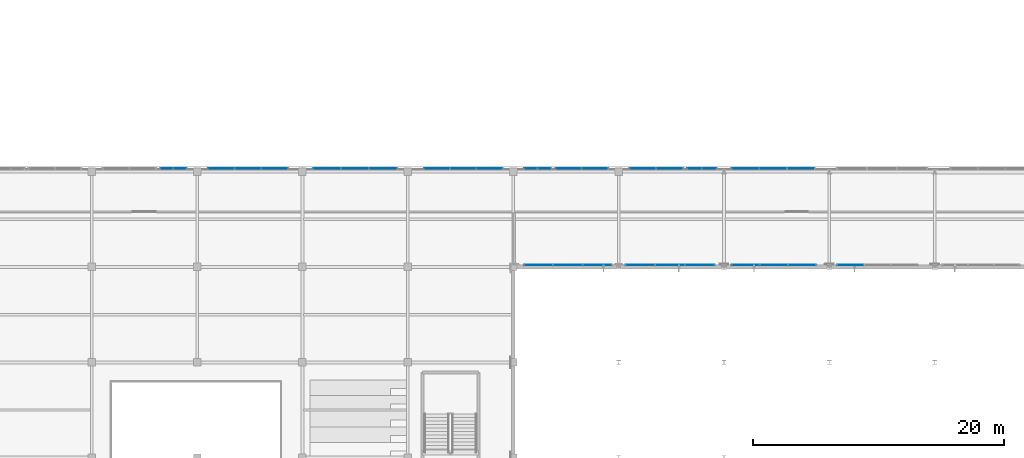
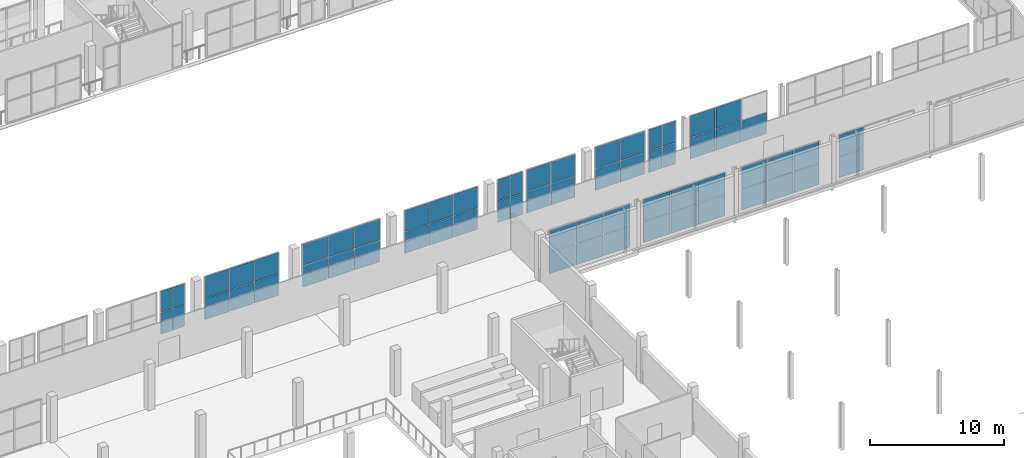
# One storey, part 167 of 217: 63 plates, 13 elements without a shape of their own.
"""IFC4 building model written with IfcOpenShell, lengths in metres."""

import ifcopenshell
import ifcopenshell.guid

model = None  # the IFC model being written
_history = None  # IfcOwnerHistory: only IFC2X3 demands one
_inside = {}  # id of a spatial element -> (the spatial element, [elements in it])
_under = {}  # id of a project, library or spatial element -> (it, [spatial elements below it])
_declared = {}  # id of a project -> (the project, [libraries it declares])
_typed = {}  # id of a type object -> (the type object, [elements of that type])
_made_of = {}  # id of a material, layer set ... -> (it, [elements and type objects made of it])


def new_model(schema):
    """Start an empty IFC model of exactly this schema.

    Asked for "IFC4X3", IfcOpenShell would pick the latest addendum, in which some entities
    have other attributes; the version numbers below select the first issue.
    IFC2X3 requires an IfcOwnerHistory on every rooted entity: one is made here for all.
    """
    global model, _history
    if schema == "IFC4X3":
        model = ifcopenshell.file(schema_version=(4, 3, 0, 0))
    else:
        model = ifcopenshell.file(schema=schema)
    _inside.clear()
    _under.clear()
    _declared.clear()
    _typed.clear()
    _made_of.clear()
    _history = None
    if model.schema == "IFC2X3":
        org = make("IfcOrganization", Name="unknown")
        user = make(
            "IfcPersonAndOrganization",
            ThePerson=make("IfcPerson", FamilyName="unknown"),
            TheOrganization=org,
        )
        app = make(
            "IfcApplication",
            ApplicationDeveloper=org,
            Version="unknown",
            ApplicationFullName="unknown",
            ApplicationIdentifier="unknown",
        )
        _history = make(
            "IfcOwnerHistory",
            OwningUser=user,
            OwningApplication=app,
            ChangeAction="ADDED",
            CreationDate=0,
        )
    return model


def make(cls, **values):
    """One entity of the class cls with the attributes given. An attribute that is None is left unset."""
    return model.create_entity(
        cls, **{name: value for name, value in values.items() if value is not None}
    )


def rooted(cls, **values):
    """An entity with a GlobalId (a new one), such as an element, a storey or a relation."""
    return make(cls, GlobalId=ifcopenshell.guid.new(), OwnerHistory=_history, **values)


def si_unit(unit_type, name, prefix=None):
    """IfcSIUnit, for example si_unit("LENGTHUNIT", "METRE", prefix="MILLI")."""
    return make("IfcSIUnit", UnitType=unit_type, Prefix=prefix, Name=name)


def assignment(units):
    """IfcUnitAssignment: the units of a project."""
    return None if units is None else make("IfcUnitAssignment", Units=units)


def point(xyz):
    """IfcCartesianPoint."""
    return None if xyz is None else make("IfcCartesianPoint", Coordinates=xyz)


def direction(xyz):
    """IfcDirection."""
    return None if xyz is None else make("IfcDirection", DirectionRatios=xyz)


def frame(location, z_axis=None, x_axis=None):
    """IfcAxis2Placement3D, a coordinate frame: its origin and axes. An axis left out is left unset."""
    return make(
        "IfcAxis2Placement3D",
        Location=point(location),
        Axis=direction(z_axis),
        RefDirection=direction(x_axis),
    )


def frame_2d(location, x_axis=None):
    """IfcAxis2Placement2D, a coordinate frame in the plane: its origin and x axis."""
    return make(
        "IfcAxis2Placement2D", Location=point(location), RefDirection=direction(x_axis)
    )


def origin():
    """The frame at (0, 0, 0) with its axes left unset."""
    return frame((0.0, 0.0, 0.0))


def origin_2d():
    """The frame at (0, 0) in the plane with its x axis left unset."""
    return frame_2d((0.0, 0.0))


def place(relative_to, where):
    """IfcLocalPlacement: puts the frame where relative to a parent placement (None: the world)."""
    return make(
        "IfcLocalPlacement", PlacementRelTo=relative_to, RelativePlacement=where
    )


def context(
    kind, dimensions, precision=None, world=None, true_north=None, identifier=None
):
    """IfcGeometricRepresentationContext, for example the 3D "Model" context."""
    return make(
        "IfcGeometricRepresentationContext",
        ContextIdentifier=identifier,
        ContextType=kind,
        CoordinateSpaceDimension=dimensions,
        Precision=precision,
        WorldCoordinateSystem=world,
        TrueNorth=true_north,
    )


def subcontext(parent, identifier, kind, view, scale=None):
    """IfcGeometricRepresentationSubContext, for example "Body" below "Model"."""
    return make(
        "IfcGeometricRepresentationSubContext",
        ContextIdentifier=identifier,
        ContextType=kind,
        ParentContext=parent,
        TargetScale=scale,
        TargetView=view,
    )


def project(units=None, contexts=None):
    """IfcProject with its units and contexts."""
    return rooted(
        "IfcProject",
        Name="project",
        RepresentationContexts=contexts,
        UnitsInContext=assignment(units),
    )


def spatial(cls, under=None, at=None, **own):
    """A site, building, storey or space (cls), placed at a placement, below another one or the project."""
    s = rooted(cls, ObjectPlacement=at, **own)
    if under is not None:
        _under.setdefault(under.id(), (under, []))[1].append(s)
    return s


def profile(cls, at=None, kind="AREA", **sizes):
    """A parametric profile (cls). Its sizes go by their IFC names, for example OverallWidth=200.0."""
    return make(cls, ProfileType=kind, Position=at, **sizes)


def rectangle(**sizes):
    """IfcRectangleProfileDef."""
    return profile("IfcRectangleProfileDef", **sizes)


def extrude(swept, where, along, depth):
    """IfcExtrudedAreaSolid: the profile swept, set in the frame where, extruded along a direction by depth."""
    return make(
        "IfcExtrudedAreaSolid",
        SweptArea=swept,
        Position=where,
        ExtrudedDirection=direction(along),
        Depth=depth,
    )


def shape(context_of_items, identifier, shape_type, items):
    """IfcShapeRepresentation: the items that make up one representation, for example the "Body"."""
    return make(
        "IfcShapeRepresentation",
        ContextOfItems=context_of_items,
        RepresentationIdentifier=identifier,
        RepresentationType=shape_type,
        Items=items,
    )


def material(Name=None, Category=None):
    """IfcMaterial."""
    return make("IfcMaterial", Name=Name, Category=Category)


def layer(
    of_material, thickness, ventilated=None, Name=None, Category=None, Priority=None
):
    """IfcMaterialLayer: one layer of a wall or slab, of a material (None: an air gap)."""
    return make(
        "IfcMaterialLayer",
        Material=of_material,
        LayerThickness=thickness,
        IsVentilated=ventilated,
        Name=Name,
        Category=Category,
        Priority=Priority,
    )


def layer_set(layers, Name=None):
    """IfcMaterialLayerSet."""
    return make("IfcMaterialLayerSet", MaterialLayers=layers, LayerSetName=Name)


def made_of(thing, what):
    """Note that an element or type object is made of a material, layer set ...; save() writes the relation."""
    if what is not None:
        _made_of.setdefault(what.id(), (what, []))[1].append(thing)
    return thing


def type_object(cls, material=None, **own):
    """A type object (cls), such as IfcWallType, which elements share."""
    return made_of(rooted(cls, **own), material)


def element(
    cls,
    number,
    at=None,
    inside=None,
    cuts=None,
    type_object=None,
    material=None,
    context=None,
    identifier="Body",
    shape_type=None,
    held_by="IfcProductDefinitionShape",
    body=None,
    shapes=None,
    **own,
):
    """One element of the class cls, such as IfcWall. Its Tag is "e" and its number.

    at: its placement. inside: the storey or other place that contains it. cuts: it is an
    opening in that element (IfcRelVoidsElement). A single representation is given by context,
    identifier, shape_type and body (its items); several are given by shapes. held_by: the class
    of the entity that holds the representations. save() writes the other relations.
    """
    e = rooted(cls, Tag="e%d" % number, ObjectPlacement=at, **own)
    if body is not None:
        shapes = [shape(context, identifier, shape_type, body)]
    if shapes is not None:
        e.Representation = make(held_by, Representations=shapes)
    if inside is not None:
        _inside.setdefault(inside.id(), (inside, []))[1].append(e)
    if cuts is not None:
        rooted(
            "IfcRelVoidsElement", RelatingBuildingElement=cuts, RelatedOpeningElement=e
        )
    if type_object is not None:
        _typed.setdefault(type_object.id(), (type_object, []))[1].append(e)
    return made_of(e, material)


def aggregate(whole, parts):
    """IfcRelAggregates: a whole, such as a stair, and the parts it consists of."""
    return rooted("IfcRelAggregates", RelatingObject=whole, RelatedObjects=parts)


def save(model, path):
    """Write the relations noted so far, then the file.

    IfcRelAggregates (storeys below a building ...), IfcRelContainedInSpatialStructure (elements
    in a storey), IfcRelDefinesByType, IfcRelAssociatesMaterial and IfcRelDeclares: one each for
    every whole, place, type object, material and project.
    """
    for whole, parts in _under.values():
        aggregate(whole, parts)
    for where, things in _inside.values():
        rooted(
            "IfcRelContainedInSpatialStructure",
            RelatedElements=things,
            RelatingStructure=where,
        )
    for kind, things in _typed.values():
        rooted("IfcRelDefinesByType", RelatedObjects=things, RelatingType=kind)
    for what, things in _made_of.values():
        rooted("IfcRelAssociatesMaterial", RelatedObjects=things, RelatingMaterial=what)
    for by, libraries in _declared.values():
        rooted("IfcRelDeclares", RelatingContext=by, RelatedDefinitions=libraries)
    model.write(path)


model = new_model("IFC4")

# Units and contexts
model_context = context("Model", 3, precision=1e-05, world=origin(), true_north=direction((0.0, 1.0)))
body_context = subcontext(model_context, "Body", "Model", "MODEL_VIEW")
ifc_project = project(units=[si_unit("LENGTHUNIT", "METRE"), si_unit("AREAUNIT", "SQUARE_METRE"), si_unit("VOLUMEUNIT", "CUBIC_METRE"), si_unit("PLANEANGLEUNIT", "RADIAN"), si_unit("MASSUNIT", "GRAM", prefix="KILO")], contexts=[model_context])

# Site, building, storey
site_placement = place(None, origin())
site = spatial("IfcSite", under=ifc_project, at=site_placement, CompositionType="ELEMENT")
building_placement = place(site_placement, origin())
building = spatial("IfcBuilding", under=site, at=building_placement, Name="Zuvorla Pavilion Media Centre", CompositionType="ELEMENT")
storey_placement = place(building_placement, frame((0.0, 0.0, 9.60009765625)))
storey = spatial("IfcBuildingStorey", under=building, at=storey_placement, Name="L02", CompositionType="ELEMENT", Elevation=9.60009765625)

# Curtain wall, plates
ifc_material_1 = material(Name="Unitised anodised aluminium and solar glass curtain wall", Category="aluminium")
curtain_wall_type_1 = type_object("IfcCurtainWallType", Name="CW-SYS-24", PredefinedType="USERDEFINED", material=ifc_material_1)
curtain_wall_1_placement = place(storey_placement, origin())
curtain_wall_1 = element("IfcCurtainWall", 1, at=curtain_wall_1_placement, inside=storey, type_object=curtain_wall_type_1, Name="L02 curtain wall CW24 43", ObjectType="CURTAIN WALL", PredefinedType="USERDEFINED")
ifc_material_2 = material(Name="Solar control double glazing", Category="glass")
ifc_layer_1 = layer(ifc_material_2, 0.028076171875)
ifc_layer_set_1 = layer_set([ifc_layer_1], Name="Solar control double glazing")
plate_type_1 = type_object("IfcPlateType", Name="CW-PNL-28", PredefinedType="CURTAIN_PANEL", material=ifc_layer_set_1)
plate_1_placement = place(storey_placement, frame((110.818115234375, 44.159912109375, 0.02978515625), z_axis=(0.0, 0.0, 1.0), x_axis=(1.0, 0.0, 0.0)))
plate_1 = element("IfcPlate", 2, at=plate_1_placement, type_object=plate_type_1, Name="CW24 panel 1.1", PredefinedType="CURTAIN_PANEL", context=body_context, shape_type="SweptSolid", body=[
    extrude(rectangle(XDim=2.275634765625, YDim=0.028076171875, at=origin_2d()), origin(), (0.0, 0.0, 1.0), 1.9150390625),
])
plate_2_placement = place(storey_placement, frame((110.818115234375, 44.159912109375, 2.0048828125), z_axis=(0.0, 0.0, 1.0), x_axis=(1.0, 0.0, 0.0)))
plate_2 = element("IfcPlate", 3, at=plate_2_placement, type_object=plate_type_1, Name="CW24 panel 1.2", PredefinedType="CURTAIN_PANEL", context=body_context, shape_type="SweptSolid", body=[
    extrude(rectangle(XDim=2.275634765625, YDim=0.028076171875, at=origin_2d()), origin(), (0.0, 0.0, 1.0), 1.9150390625),
])
plate_3_placement = place(storey_placement, frame((113.15380859375, 44.159912109375, 0.02978515625), z_axis=(0.0, 0.0, 1.0), x_axis=(1.0, 0.0, 0.0)))
plate_3 = element("IfcPlate", 4, at=plate_3_placement, type_object=plate_type_1, Name="CW24 panel 2.1", PredefinedType="CURTAIN_PANEL", context=body_context, shape_type="SweptSolid", body=[
    extrude(rectangle(XDim=2.275634765625, YDim=0.028076171875, at=origin_2d()), origin(), (0.0, 0.0, 1.0), 1.9150390625),
])
plate_4_placement = place(storey_placement, frame((113.15380859375, 44.159912109375, 2.0048828125), z_axis=(0.0, 0.0, 1.0), x_axis=(1.0, 0.0, 0.0)))
plate_4 = element("IfcPlate", 5, at=plate_4_placement, type_object=plate_type_1, Name="CW24 panel 2.2", PredefinedType="CURTAIN_PANEL", context=body_context, shape_type="SweptSolid", body=[
    extrude(rectangle(XDim=2.275634765625, YDim=0.028076171875, at=origin_2d()), origin(), (0.0, 0.0, 1.0), 1.9150390625),
])
plate_5_placement = place(storey_placement, frame((115.489501953125, 44.159912109375, 0.02978515625), z_axis=(0.0, 0.0, 1.0), x_axis=(1.0, 0.0, 0.0)))
plate_5 = element("IfcPlate", 6, at=plate_5_placement, type_object=plate_type_1, Name="CW24 panel 3.1", PredefinedType="CURTAIN_PANEL", context=body_context, shape_type="SweptSolid", body=[
    extrude(rectangle(XDim=2.275634765625, YDim=0.028076171875, at=origin_2d()), origin(), (0.0, 0.0, 1.0), 1.9150390625),
])
plate_6_placement = place(storey_placement, frame((115.489501953125, 44.159912109375, 2.0048828125), z_axis=(0.0, 0.0, 1.0), x_axis=(1.0, 0.0, 0.0)))
plate_6 = element("IfcPlate", 7, at=plate_6_placement, type_object=plate_type_1, Name="CW24 panel 3.2", PredefinedType="CURTAIN_PANEL", context=body_context, shape_type="SweptSolid", body=[
    extrude(rectangle(XDim=2.275634765625, YDim=0.028076171875, at=origin_2d()), origin(), (0.0, 0.0, 1.0), 1.9150390625),
])
aggregate(curtain_wall_1, [plate_1, plate_2, plate_3, plate_4, plate_5, plate_6])

curtain_wall_type_2 = type_object("IfcCurtainWallType", Name="CW-SYS-13", PredefinedType="USERDEFINED", material=ifc_material_1)
curtain_wall_2_placement = place(storey_placement, origin())
curtain_wall_2 = element("IfcCurtainWall", 8, at=curtain_wall_2_placement, inside=storey, type_object=curtain_wall_type_2, Name="L02 curtain wall CW13 46", ObjectType="CURTAIN WALL", PredefinedType="USERDEFINED")
plate_7_placement = place(storey_placement, frame((135.673583984375, 44.159912109375, 0.02978515625), z_axis=(0.0, 0.0, 1.0), x_axis=(1.0, 0.0, 0.0)))
plate_7 = element("IfcPlate", 9, at=plate_7_placement, type_object=plate_type_1, Name="CW13 panel 1.1", PredefinedType="CURTAIN_PANEL", context=body_context, shape_type="SweptSolid", body=[
    extrude(rectangle(XDim=2.086669921875, YDim=0.028076171875, at=origin_2d()), origin(), (0.0, 0.0, 1.0), 1.9150390625),
])
plate_8_placement = place(storey_placement, frame((135.673583984375, 44.159912109375, 2.0048828125), z_axis=(0.0, 0.0, 1.0), x_axis=(1.0, 0.0, 0.0)))
plate_8 = element("IfcPlate", 10, at=plate_8_placement, type_object=plate_type_1, Name="CW13 panel 1.2", PredefinedType="CURTAIN_PANEL", context=body_context, shape_type="SweptSolid", body=[
    extrude(rectangle(XDim=2.086669921875, YDim=0.028076171875, at=origin_2d()), origin(), (0.0, 0.0, 1.0), 1.9150390625),
])
aggregate(curtain_wall_2, [plate_7, plate_8])

curtain_wall_type_3 = type_object("IfcCurtainWallType", Name="CW-SYS-48", PredefinedType="USERDEFINED", material=ifc_material_1)
curtain_wall_3_placement = place(storey_placement, origin())
curtain_wall_3 = element("IfcCurtainWall", 11, at=curtain_wall_3_placement, inside=storey, type_object=curtain_wall_type_3, Name="L02 curtain wall CW48 69", ObjectType="CURTAIN WALL", PredefinedType="USERDEFINED")
plate_9_placement = place(storey_placement, frame((93.966796875, 51.840087890625, 0.02978515625), z_axis=(0.0, 0.0, 1.0), x_axis=(1.0, 0.0, 0.0)))
plate_9 = element("IfcPlate", 12, at=plate_9_placement, type_object=plate_type_1, Name="CW48 panel 1.1", PredefinedType="CURTAIN_PANEL", context=body_context, shape_type="SweptSolid", body=[
    extrude(rectangle(XDim=2.173095703125, YDim=0.028076171875, at=origin_2d()), origin(), (0.0, 0.0, 1.0), 1.9150390625),
])
plate_10_placement = place(storey_placement, frame((93.966796875, 51.840087890625, 2.0048828125), z_axis=(0.0, 0.0, 1.0), x_axis=(1.0, 0.0, 0.0)))
plate_10 = element("IfcPlate", 13, at=plate_10_placement, type_object=plate_type_1, Name="CW48 panel 1.2", PredefinedType="CURTAIN_PANEL", context=body_context, shape_type="SweptSolid", body=[
    extrude(rectangle(XDim=2.173095703125, YDim=0.028076171875, at=origin_2d()), origin(), (0.0, 0.0, 1.0), 1.9150390625),
])
plate_11_placement = place(storey_placement, frame((96.199951171875, 51.840087890625, 0.02978515625), z_axis=(0.0, 0.0, 1.0), x_axis=(1.0, 0.0, 0.0)))
plate_11 = element("IfcPlate", 14, at=plate_11_placement, type_object=plate_type_1, Name="CW48 panel 2.1", PredefinedType="CURTAIN_PANEL", context=body_context, shape_type="SweptSolid", body=[
    extrude(rectangle(XDim=2.173095703125, YDim=0.028076171875, at=origin_2d()), origin(), (0.0, 0.0, 1.0), 1.9150390625),
])
plate_12_placement = place(storey_placement, frame((96.199951171875, 51.840087890625, 2.0048828125), z_axis=(0.0, 0.0, 1.0), x_axis=(1.0, 0.0, 0.0)))
plate_12 = element("IfcPlate", 15, at=plate_12_placement, type_object=plate_type_1, Name="CW48 panel 2.2", PredefinedType="CURTAIN_PANEL", context=body_context, shape_type="SweptSolid", body=[
    extrude(rectangle(XDim=2.173095703125, YDim=0.028076171875, at=origin_2d()), origin(), (0.0, 0.0, 1.0), 1.9150390625),
])
plate_13_placement = place(storey_placement, frame((98.43310546875, 51.840087890625, 0.02978515625), z_axis=(0.0, 0.0, 1.0), x_axis=(1.0, 0.0, 0.0)))
plate_13 = element("IfcPlate", 16, at=plate_13_placement, type_object=plate_type_1, Name="CW48 panel 3.1", PredefinedType="CURTAIN_PANEL", context=body_context, shape_type="SweptSolid", body=[
    extrude(rectangle(XDim=2.173095703125, YDim=0.028076171875, at=origin_2d()), origin(), (0.0, 0.0, 1.0), 1.9150390625),
])
plate_14_placement = place(storey_placement, frame((98.43310546875, 51.840087890625, 2.0048828125), z_axis=(0.0, 0.0, 1.0), x_axis=(1.0, 0.0, 0.0)))
plate_14 = element("IfcPlate", 17, at=plate_14_placement, type_object=plate_type_1, Name="CW48 panel 3.2", PredefinedType="CURTAIN_PANEL", context=body_context, shape_type="SweptSolid", body=[
    extrude(rectangle(XDim=2.173095703125, YDim=0.028076171875, at=origin_2d()), origin(), (0.0, 0.0, 1.0), 1.9150390625),
])
aggregate(curtain_wall_3, [plate_9, plate_10, plate_11, plate_12, plate_13, plate_14])

curtain_wall_type_4 = type_object("IfcCurtainWallType", Name="CW-SYS-53", PredefinedType="USERDEFINED", material=ifc_material_1)
curtain_wall_4_placement = place(storey_placement, origin())
curtain_wall_4 = element("IfcCurtainWall", 18, at=curtain_wall_4_placement, inside=storey, type_object=curtain_wall_type_4, Name="L02 curtain wall CW53 79", ObjectType="CURTAIN WALL", PredefinedType="USERDEFINED")
plate_15_placement = place(storey_placement, frame((123.244873046875, 51.840087890625, 0.02978515625), z_axis=(0.0, 0.0, 1.0), x_axis=(1.0, 0.0, 0.0)))
plate_15 = element("IfcPlate", 19, at=plate_15_placement, type_object=plate_type_1, Name="CW53 panel 1.1", PredefinedType="CURTAIN_PANEL", context=body_context, shape_type="SweptSolid", body=[
    extrude(rectangle(XDim=1.10986328125, YDim=0.028076171875, at=origin_2d()), origin(), (0.0, 0.0, 1.0), 1.9150390625),
])
plate_16_placement = place(storey_placement, frame((123.244873046875, 51.840087890625, 2.0048828125), z_axis=(0.0, 0.0, 1.0), x_axis=(1.0, 0.0, 0.0)))
plate_16 = element("IfcPlate", 20, at=plate_16_placement, type_object=plate_type_1, Name="CW53 panel 1.2", PredefinedType="CURTAIN_PANEL", context=body_context, shape_type="SweptSolid", body=[
    extrude(rectangle(XDim=1.10986328125, YDim=0.028076171875, at=origin_2d()), origin(), (0.0, 0.0, 1.0), 1.9150390625),
])
plate_17_placement = place(storey_placement, frame((124.414794921875, 51.840087890625, 0.02978515625), z_axis=(0.0, 0.0, 1.0), x_axis=(1.0, 0.0, 0.0)))
plate_17 = element("IfcPlate", 21, at=plate_17_placement, type_object=plate_type_1, Name="CW53 panel 2.1", PredefinedType="CURTAIN_PANEL", context=body_context, shape_type="SweptSolid", body=[
    extrude(rectangle(XDim=1.10986328125, YDim=0.028076171875, at=origin_2d()), origin(), (0.0, 0.0, 1.0), 1.9150390625),
])
plate_18_placement = place(storey_placement, frame((124.414794921875, 51.840087890625, 2.0048828125), z_axis=(0.0, 0.0, 1.0), x_axis=(1.0, 0.0, 0.0)))
plate_18 = element("IfcPlate", 22, at=plate_18_placement, type_object=plate_type_1, Name="CW53 panel 2.2", PredefinedType="CURTAIN_PANEL", context=body_context, shape_type="SweptSolid", body=[
    extrude(rectangle(XDim=1.10986328125, YDim=0.028076171875, at=origin_2d()), origin(), (0.0, 0.0, 1.0), 1.9150390625),
])
aggregate(curtain_wall_4, [plate_15, plate_16, plate_17, plate_18])

curtain_wall_type_5 = type_object("IfcCurtainWallType", Name="CW-SYS-54", PredefinedType="USERDEFINED", material=ifc_material_1)
curtain_wall_5_placement = place(storey_placement, origin())
curtain_wall_5 = element("IfcCurtainWall", 23, at=curtain_wall_5_placement, inside=storey, type_object=curtain_wall_type_5, Name="L02 curtain wall CW54 80", ObjectType="CURTAIN WALL", PredefinedType="USERDEFINED")
plate_19_placement = place(storey_placement, frame((127.306884765625, 51.840087890625, 0.02978515625), z_axis=(0.0, 0.0, 1.0), x_axis=(1.0, 0.0, 0.0)))
plate_19 = element("IfcPlate", 24, at=plate_19_placement, type_object=plate_type_1, Name="CW54 panel 1.1", PredefinedType="CURTAIN_PANEL", context=body_context, shape_type="SweptSolid", body=[
    extrude(rectangle(XDim=2.1533203125, YDim=0.028076171875, at=origin_2d()), origin(), (0.0, 0.0, 1.0), 1.9150390625),
])
plate_20_placement = place(storey_placement, frame((127.306884765625, 51.840087890625, 2.0048828125), z_axis=(0.0, 0.0, 1.0), x_axis=(1.0, 0.0, 0.0)))
plate_20 = element("IfcPlate", 25, at=plate_20_placement, type_object=plate_type_1, Name="CW54 panel 1.2", PredefinedType="CURTAIN_PANEL", context=body_context, shape_type="SweptSolid", body=[
    extrude(rectangle(XDim=2.1533203125, YDim=0.028076171875, at=origin_2d()), origin(), (0.0, 0.0, 1.0), 1.9150390625),
])
plate_21_placement = place(storey_placement, frame((129.52001953125, 51.840087890625, 0.02978515625), z_axis=(0.0, 0.0, 1.0), x_axis=(1.0, 0.0, 0.0)))
plate_21 = element("IfcPlate", 26, at=plate_21_placement, type_object=plate_type_1, Name="CW54 panel 2.1", PredefinedType="CURTAIN_PANEL", context=body_context, shape_type="SweptSolid", body=[
    extrude(rectangle(XDim=2.1533203125, YDim=0.028076171875, at=origin_2d()), origin(), (0.0, 0.0, 1.0), 1.9150390625),
])
plate_22_placement = place(storey_placement, frame((129.52001953125, 51.840087890625, 2.0048828125), z_axis=(0.0, 0.0, 1.0), x_axis=(1.0, 0.0, 0.0)))
plate_22 = element("IfcPlate", 27, at=plate_22_placement, type_object=plate_type_1, Name="CW54 panel 2.2", PredefinedType="CURTAIN_PANEL", context=body_context, shape_type="SweptSolid", body=[
    extrude(rectangle(XDim=2.1533203125, YDim=0.028076171875, at=origin_2d()), origin(), (0.0, 0.0, 1.0), 1.9150390625),
])
plate_23_placement = place(storey_placement, frame((131.7333984375, 51.840087890625, 0.02978515625), z_axis=(0.0, 0.0, 1.0), x_axis=(1.0, 0.0, 0.0)))
plate_23 = element("IfcPlate", 28, at=plate_23_placement, type_object=plate_type_1, Name="CW54 panel 3.1", PredefinedType="CURTAIN_PANEL", context=body_context, shape_type="SweptSolid", body=[
    extrude(rectangle(XDim=2.1533203125, YDim=0.028076171875, at=origin_2d()), origin(), (0.0, 0.0, 1.0), 1.9150390625),
])
aggregate(curtain_wall_5, [plate_19, plate_20, plate_21, plate_22, plate_23])

curtain_wall_type_6 = type_object("IfcCurtainWallType", Name="CW-SYS-25", PredefinedType="USERDEFINED", material=ifc_material_1)
curtain_wall_6_placement = place(storey_placement, origin())
curtain_wall_6 = element("IfcCurtainWall", 29, at=curtain_wall_6_placement, inside=storey, type_object=curtain_wall_type_6, Name="L02 curtain wall CW25 44", ObjectType="CURTAIN WALL", PredefinedType="USERDEFINED")
ifc_material_3 = material(Name="Acoustic laminated solar glazing", Category="glass")
ifc_layer_2 = layer(ifc_material_3, 0.033935546875)
ifc_layer_set_2 = layer_set([ifc_layer_2], Name="Acoustic laminated solar glazing")
plate_type_2 = type_object("IfcPlateType", Name="CW-PNL-34", PredefinedType="CURTAIN_PANEL", material=ifc_layer_set_2)
plate_24_placement = place(storey_placement, frame((118.925537109375, 44.159912109375, 0.02978515625), z_axis=(0.0, 0.0, 1.0), x_axis=(1.0, 0.0, 0.0)))
plate_24 = element("IfcPlate", 30, at=plate_24_placement, type_object=plate_type_2, Name="CW25 panel 1.1", PredefinedType="CURTAIN_PANEL", context=body_context, shape_type="SweptSolid", body=[
    extrude(rectangle(XDim=2.3056640625, YDim=0.033935546875, at=origin_2d()), origin(), (0.0, 0.0, 1.0), 1.9150390625),
])
plate_25_placement = place(storey_placement, frame((118.925537109375, 44.159912109375, 2.0048828125), z_axis=(0.0, 0.0, 1.0), x_axis=(1.0, 0.0, 0.0)))
plate_25 = element("IfcPlate", 31, at=plate_25_placement, type_object=plate_type_2, Name="CW25 panel 1.2", PredefinedType="CURTAIN_PANEL", context=body_context, shape_type="SweptSolid", body=[
    extrude(rectangle(XDim=2.3056640625, YDim=0.033935546875, at=origin_2d()), origin(), (0.0, 0.0, 1.0), 1.9150390625),
])
plate_26_placement = place(storey_placement, frame((121.291259765625, 44.159912109375, 0.02978515625), z_axis=(0.0, 0.0, 1.0), x_axis=(1.0, 0.0, 0.0)))
plate_26 = element("IfcPlate", 32, at=plate_26_placement, type_object=plate_type_2, Name="CW25 panel 2.1", PredefinedType="CURTAIN_PANEL", context=body_context, shape_type="SweptSolid", body=[
    extrude(rectangle(XDim=2.3056640625, YDim=0.033935546875, at=origin_2d()), origin(), (0.0, 0.0, 1.0), 1.9150390625),
])
plate_27_placement = place(storey_placement, frame((121.291259765625, 44.159912109375, 2.0048828125), z_axis=(0.0, 0.0, 1.0), x_axis=(1.0, 0.0, 0.0)))
plate_27 = element("IfcPlate", 33, at=plate_27_placement, type_object=plate_type_2, Name="CW25 panel 2.2", PredefinedType="CURTAIN_PANEL", context=body_context, shape_type="SweptSolid", body=[
    extrude(rectangle(XDim=2.3056640625, YDim=0.033935546875, at=origin_2d()), origin(), (0.0, 0.0, 1.0), 1.9150390625),
])
plate_28_placement = place(storey_placement, frame((123.6572265625, 44.159912109375, 0.02978515625), z_axis=(0.0, 0.0, 1.0), x_axis=(1.0, 0.0, 0.0)))
plate_28 = element("IfcPlate", 34, at=plate_28_placement, type_object=plate_type_2, Name="CW25 panel 3.1", PredefinedType="CURTAIN_PANEL", context=body_context, shape_type="SweptSolid", body=[
    extrude(rectangle(XDim=2.3056640625, YDim=0.033935546875, at=origin_2d()), origin(), (0.0, 0.0, 1.0), 1.9150390625),
])
plate_29_placement = place(storey_placement, frame((123.6572265625, 44.159912109375, 2.0048828125), z_axis=(0.0, 0.0, 1.0), x_axis=(1.0, 0.0, 0.0)))
plate_29 = element("IfcPlate", 35, at=plate_29_placement, type_object=plate_type_2, Name="CW25 panel 3.2", PredefinedType="CURTAIN_PANEL", context=body_context, shape_type="SweptSolid", body=[
    extrude(rectangle(XDim=2.3056640625, YDim=0.033935546875, at=origin_2d()), origin(), (0.0, 0.0, 1.0), 1.9150390625),
])
aggregate(curtain_wall_6, [plate_24, plate_25, plate_26, plate_27, plate_28, plate_29])

curtain_wall_type_7 = type_object("IfcCurtainWallType", Name="CW-SYS-39", PredefinedType="USERDEFINED", material=ifc_material_1)
curtain_wall_7_placement = place(storey_placement, origin())
curtain_wall_7 = element("IfcCurtainWall", 36, at=curtain_wall_7_placement, inside=storey, type_object=curtain_wall_type_7, Name="L02 curtain wall CW39 71", ObjectType="CURTAIN WALL", PredefinedType="USERDEFINED")
plate_30_placement = place(storey_placement, frame((102.708251953125, 51.840087890625, 0.02978515625), z_axis=(0.0, 0.0, 1.0), x_axis=(1.0, 0.0, 0.0)))
plate_30 = element("IfcPlate", 37, at=plate_30_placement, type_object=plate_type_2, Name="CW39 panel 1.1", PredefinedType="CURTAIN_PANEL", context=body_context, shape_type="SweptSolid", body=[
    extrude(rectangle(XDim=2.03662109375, YDim=0.033935546875, at=origin_2d()), origin(), (0.0, 0.0, 1.0), 1.9150390625),
])
plate_31_placement = place(storey_placement, frame((102.708251953125, 51.840087890625, 2.0048828125), z_axis=(0.0, 0.0, 1.0), x_axis=(1.0, 0.0, 0.0)))
plate_31 = element("IfcPlate", 38, at=plate_31_placement, type_object=plate_type_2, Name="CW39 panel 1.2", PredefinedType="CURTAIN_PANEL", context=body_context, shape_type="SweptSolid", body=[
    extrude(rectangle(XDim=2.03662109375, YDim=0.033935546875, at=origin_2d()), origin(), (0.0, 0.0, 1.0), 1.9150390625),
])
plate_32_placement = place(storey_placement, frame((104.804931640625, 51.840087890625, 0.02978515625), z_axis=(0.0, 0.0, 1.0), x_axis=(1.0, 0.0, 0.0)))
plate_32 = element("IfcPlate", 39, at=plate_32_placement, type_object=plate_type_2, Name="CW39 panel 2.1", PredefinedType="CURTAIN_PANEL", context=body_context, shape_type="SweptSolid", body=[
    extrude(rectangle(XDim=2.03662109375, YDim=0.033935546875, at=origin_2d()), origin(), (0.0, 0.0, 1.0), 1.9150390625),
])
plate_33_placement = place(storey_placement, frame((104.804931640625, 51.840087890625, 2.0048828125), z_axis=(0.0, 0.0, 1.0), x_axis=(1.0, 0.0, 0.0)))
plate_33 = element("IfcPlate", 40, at=plate_33_placement, type_object=plate_type_2, Name="CW39 panel 2.2", PredefinedType="CURTAIN_PANEL", context=body_context, shape_type="SweptSolid", body=[
    extrude(rectangle(XDim=2.03662109375, YDim=0.033935546875, at=origin_2d()), origin(), (0.0, 0.0, 1.0), 1.9150390625),
])
plate_34_placement = place(storey_placement, frame((106.9013671875, 51.840087890625, 0.02978515625), z_axis=(0.0, 0.0, 1.0), x_axis=(1.0, 0.0, 0.0)))
plate_34 = element("IfcPlate", 41, at=plate_34_placement, type_object=plate_type_2, Name="CW39 panel 3.1", PredefinedType="CURTAIN_PANEL", context=body_context, shape_type="SweptSolid", body=[
    extrude(rectangle(XDim=2.03662109375, YDim=0.033935546875, at=origin_2d()), origin(), (0.0, 0.0, 1.0), 1.9150390625),
])
plate_35_placement = place(storey_placement, frame((106.9013671875, 51.840087890625, 2.0048828125), z_axis=(0.0, 0.0, 1.0), x_axis=(1.0, 0.0, 0.0)))
plate_35 = element("IfcPlate", 42, at=plate_35_placement, type_object=plate_type_2, Name="CW39 panel 3.2", PredefinedType="CURTAIN_PANEL", context=body_context, shape_type="SweptSolid", body=[
    extrude(rectangle(XDim=2.03662109375, YDim=0.033935546875, at=origin_2d()), origin(), (0.0, 0.0, 1.0), 1.9150390625),
])
aggregate(curtain_wall_7, [plate_30, plate_31, plate_32, plate_33, plate_34, plate_35])

curtain_wall_type_8 = type_object("IfcCurtainWallType", Name="CW-SYS-38", PredefinedType="USERDEFINED", material=ifc_material_1)
curtain_wall_8_placement = place(storey_placement, origin())
curtain_wall_8 = element("IfcCurtainWall", 43, at=curtain_wall_8_placement, inside=storey, type_object=curtain_wall_type_8, Name="L02 curtain wall CW38 72", ObjectType="CURTAIN WALL", PredefinedType="USERDEFINED")
plate_36_placement = place(storey_placement, frame((110.19775390625, 51.840087890625, 0.02978515625), z_axis=(0.0, 0.0, 1.0), x_axis=(1.0, 0.0, 0.0)))
plate_36 = element("IfcPlate", 44, at=plate_36_placement, type_object=plate_type_2, Name="CW38 panel 1.1", PredefinedType="CURTAIN_PANEL", context=body_context, shape_type="SweptSolid", body=[
    extrude(rectangle(XDim=1.034912109375, YDim=0.033935546875, at=origin_2d()), origin(), (0.0, 0.0, 1.0), 1.9150390625),
])
plate_37_placement = place(storey_placement, frame((110.19775390625, 51.840087890625, 2.0048828125), z_axis=(0.0, 0.0, 1.0), x_axis=(1.0, 0.0, 0.0)))
plate_37 = element("IfcPlate", 45, at=plate_37_placement, type_object=plate_type_2, Name="CW38 panel 1.2", PredefinedType="CURTAIN_PANEL", context=body_context, shape_type="SweptSolid", body=[
    extrude(rectangle(XDim=1.034912109375, YDim=0.033935546875, at=origin_2d()), origin(), (0.0, 0.0, 1.0), 1.9150390625),
])
plate_38_placement = place(storey_placement, frame((111.29248046875, 51.840087890625, 0.02978515625), z_axis=(0.0, 0.0, 1.0), x_axis=(1.0, 0.0, 0.0)))
plate_38 = element("IfcPlate", 46, at=plate_38_placement, type_object=plate_type_2, Name="CW38 panel 2.1", PredefinedType="CURTAIN_PANEL", context=body_context, shape_type="SweptSolid", body=[
    extrude(rectangle(XDim=1.034912109375, YDim=0.033935546875, at=origin_2d()), origin(), (0.0, 0.0, 1.0), 1.9150390625),
])
plate_39_placement = place(storey_placement, frame((111.29248046875, 51.840087890625, 2.0048828125), z_axis=(0.0, 0.0, 1.0), x_axis=(1.0, 0.0, 0.0)))
plate_39 = element("IfcPlate", 47, at=plate_39_placement, type_object=plate_type_2, Name="CW38 panel 2.2", PredefinedType="CURTAIN_PANEL", context=body_context, shape_type="SweptSolid", body=[
    extrude(rectangle(XDim=1.034912109375, YDim=0.033935546875, at=origin_2d()), origin(), (0.0, 0.0, 1.0), 1.9150390625),
])
aggregate(curtain_wall_8, [plate_36, plate_37, plate_38, plate_39])

curtain_wall_type_9 = type_object("IfcCurtainWallType", Name="CW-SYS-26", PredefinedType="USERDEFINED", material=ifc_material_1)
curtain_wall_9_placement = place(storey_placement, origin())
curtain_wall_9 = element("IfcCurtainWall", 48, at=curtain_wall_9_placement, inside=storey, type_object=curtain_wall_type_9, Name="L02 curtain wall CW26 45", ObjectType="CURTAIN WALL", PredefinedType="USERDEFINED")
ifc_material_4 = material(Name="Triple acoustic broadcast glazing", Category="glass")
ifc_layer_3 = layer(ifc_material_4, 0.0419921875)
ifc_layer_set_3 = layer_set([ifc_layer_3], Name="Triple acoustic broadcast glazing")
plate_type_3 = type_object("IfcPlateType", Name="CW-PNL-42", PredefinedType="CURTAIN_PANEL", material=ifc_layer_set_3)
plate_40_placement = place(storey_placement, frame((127.323486328125, 44.159912109375, 0.02978515625), z_axis=(0.0, 0.0, 1.0), x_axis=(1.0, 0.0, 0.0)))
plate_40 = element("IfcPlate", 49, at=plate_40_placement, type_object=plate_type_3, Name="CW26 panel 1.1", PredefinedType="CURTAIN_PANEL", context=body_context, shape_type="SweptSolid", body=[
    extrude(rectangle(XDim=2.1865234375, YDim=0.0419921875, at=origin_2d()), origin(), (0.0, 0.0, 1.0), 1.9150390625),
])
plate_41_placement = place(storey_placement, frame((127.323486328125, 44.159912109375, 2.0048828125), z_axis=(0.0, 0.0, 1.0), x_axis=(1.0, 0.0, 0.0)))
plate_41 = element("IfcPlate", 50, at=plate_41_placement, type_object=plate_type_3, Name="CW26 panel 1.2", PredefinedType="CURTAIN_PANEL", context=body_context, shape_type="SweptSolid", body=[
    extrude(rectangle(XDim=2.1865234375, YDim=0.0419921875, at=origin_2d()), origin(), (0.0, 0.0, 1.0), 1.9150390625),
])
plate_42_placement = place(storey_placement, frame((129.570068359375, 44.159912109375, 0.02978515625), z_axis=(0.0, 0.0, 1.0), x_axis=(1.0, 0.0, 0.0)))
plate_42 = element("IfcPlate", 51, at=plate_42_placement, type_object=plate_type_3, Name="CW26 panel 2.1", PredefinedType="CURTAIN_PANEL", context=body_context, shape_type="SweptSolid", body=[
    extrude(rectangle(XDim=2.1865234375, YDim=0.0419921875, at=origin_2d()), origin(), (0.0, 0.0, 1.0), 1.9150390625),
])
plate_43_placement = place(storey_placement, frame((129.570068359375, 44.159912109375, 2.0048828125), z_axis=(0.0, 0.0, 1.0), x_axis=(1.0, 0.0, 0.0)))
plate_43 = element("IfcPlate", 52, at=plate_43_placement, type_object=plate_type_3, Name="CW26 panel 2.2", PredefinedType="CURTAIN_PANEL", context=body_context, shape_type="SweptSolid", body=[
    extrude(rectangle(XDim=2.1865234375, YDim=0.0419921875, at=origin_2d()), origin(), (0.0, 0.0, 1.0), 1.9150390625),
])
plate_44_placement = place(storey_placement, frame((131.816650390625, 44.159912109375, 0.02978515625), z_axis=(0.0, 0.0, 1.0), x_axis=(1.0, 0.0, 0.0)))
plate_44 = element("IfcPlate", 53, at=plate_44_placement, type_object=plate_type_3, Name="CW26 panel 3.1", PredefinedType="CURTAIN_PANEL", context=body_context, shape_type="SweptSolid", body=[
    extrude(rectangle(XDim=2.1865234375, YDim=0.0419921875, at=origin_2d()), origin(), (0.0, 0.0, 1.0), 1.9150390625),
])
plate_45_placement = place(storey_placement, frame((131.816650390625, 44.159912109375, 2.0048828125), z_axis=(0.0, 0.0, 1.0), x_axis=(1.0, 0.0, 0.0)))
plate_45 = element("IfcPlate", 54, at=plate_45_placement, type_object=plate_type_3, Name="CW26 panel 3.2", PredefinedType="CURTAIN_PANEL", context=body_context, shape_type="SweptSolid", body=[
    extrude(rectangle(XDim=2.1865234375, YDim=0.0419921875, at=origin_2d()), origin(), (0.0, 0.0, 1.0), 1.9150390625),
])
aggregate(curtain_wall_9, [plate_40, plate_41, plate_42, plate_43, plate_44, plate_45])

curtain_wall_type_10 = type_object("IfcCurtainWallType", Name="CW-SYS-44", PredefinedType="USERDEFINED", material=ifc_material_1)
curtain_wall_10_placement = place(storey_placement, origin())
curtain_wall_10 = element("IfcCurtainWall", 55, at=curtain_wall_10_placement, inside=storey, type_object=curtain_wall_type_10, Name="L02 curtain wall CW44 65", ObjectType="CURTAIN WALL", PredefinedType="USERDEFINED")
plate_46_placement = place(storey_placement, frame((81.182373046875, 51.840087890625, 0.02978515625), z_axis=(0.0, 0.0, 1.0), x_axis=(1.0, 0.0, 0.0)))
plate_46 = element("IfcPlate", 56, at=plate_46_placement, type_object=plate_type_3, Name="CW44 panel 1.1", PredefinedType="CURTAIN_PANEL", context=body_context, shape_type="SweptSolid", body=[
    extrude(rectangle(XDim=0.98486328125, YDim=0.0419921875, at=origin_2d()), origin(), (0.0, 0.0, 1.0), 1.9150390625),
])
plate_47_placement = place(storey_placement, frame((81.182373046875, 51.840087890625, 2.0048828125), z_axis=(0.0, 0.0, 1.0), x_axis=(1.0, 0.0, 0.0)))
plate_47 = element("IfcPlate", 57, at=plate_47_placement, type_object=plate_type_3, Name="CW44 panel 1.2", PredefinedType="CURTAIN_PANEL", context=body_context, shape_type="SweptSolid", body=[
    extrude(rectangle(XDim=0.98486328125, YDim=0.0419921875, at=origin_2d()), origin(), (0.0, 0.0, 1.0), 1.9150390625),
])
plate_48_placement = place(storey_placement, frame((82.227294921875, 51.840087890625, 0.02978515625), z_axis=(0.0, 0.0, 1.0), x_axis=(1.0, 0.0, 0.0)))
plate_48 = element("IfcPlate", 58, at=plate_48_placement, type_object=plate_type_3, Name="CW44 panel 2.1", PredefinedType="CURTAIN_PANEL", context=body_context, shape_type="SweptSolid", body=[
    extrude(rectangle(XDim=0.98486328125, YDim=0.0419921875, at=origin_2d()), origin(), (0.0, 0.0, 1.0), 1.9150390625),
])
plate_49_placement = place(storey_placement, frame((82.227294921875, 51.840087890625, 2.0048828125), z_axis=(0.0, 0.0, 1.0), x_axis=(1.0, 0.0, 0.0)))
plate_49 = element("IfcPlate", 59, at=plate_49_placement, type_object=plate_type_3, Name="CW44 panel 2.2", PredefinedType="CURTAIN_PANEL", context=body_context, shape_type="SweptSolid", body=[
    extrude(rectangle(XDim=0.98486328125, YDim=0.0419921875, at=origin_2d()), origin(), (0.0, 0.0, 1.0), 1.9150390625),
])
aggregate(curtain_wall_10, [plate_46, plate_47, plate_48, plate_49])

curtain_wall_type_11 = type_object("IfcCurtainWallType", Name="CW-SYS-45", PredefinedType="USERDEFINED", material=ifc_material_1)
curtain_wall_11_placement = place(storey_placement, origin())
curtain_wall_11 = element("IfcCurtainWall", 60, at=curtain_wall_11_placement, inside=storey, type_object=curtain_wall_type_11, Name="L02 curtain wall CW45 66", ObjectType="CURTAIN WALL", PredefinedType="USERDEFINED")
plate_50_placement = place(storey_placement, frame((85.51513671875, 51.840087890625, 0.02978515625), z_axis=(0.0, 0.0, 1.0), x_axis=(1.0, 0.0, 0.0)))
plate_50 = element("IfcPlate", 61, at=plate_50_placement, type_object=plate_type_3, Name="CW45 panel 1.1", PredefinedType="CURTAIN_PANEL", context=body_context, shape_type="SweptSolid", body=[
    extrude(rectangle(XDim=2.06982421875, YDim=0.0419921875, at=origin_2d()), origin(), (0.0, 0.0, 1.0), 1.9150390625),
])
plate_51_placement = place(storey_placement, frame((85.51513671875, 51.840087890625, 2.0048828125), z_axis=(0.0, 0.0, 1.0), x_axis=(1.0, 0.0, 0.0)))
plate_51 = element("IfcPlate", 62, at=plate_51_placement, type_object=plate_type_3, Name="CW45 panel 1.2", PredefinedType="CURTAIN_PANEL", context=body_context, shape_type="SweptSolid", body=[
    extrude(rectangle(XDim=2.06982421875, YDim=0.0419921875, at=origin_2d()), origin(), (0.0, 0.0, 1.0), 1.9150390625),
])
plate_52_placement = place(storey_placement, frame((87.645263671875, 51.840087890625, 0.02978515625), z_axis=(0.0, 0.0, 1.0), x_axis=(1.0, 0.0, 0.0)))
plate_52 = element("IfcPlate", 63, at=plate_52_placement, type_object=plate_type_3, Name="CW45 panel 2.1", PredefinedType="CURTAIN_PANEL", context=body_context, shape_type="SweptSolid", body=[
    extrude(rectangle(XDim=2.06982421875, YDim=0.0419921875, at=origin_2d()), origin(), (0.0, 0.0, 1.0), 1.9150390625),
])
plate_53_placement = place(storey_placement, frame((87.645263671875, 51.840087890625, 2.0048828125), z_axis=(0.0, 0.0, 1.0), x_axis=(1.0, 0.0, 0.0)))
plate_53 = element("IfcPlate", 64, at=plate_53_placement, type_object=plate_type_3, Name="CW45 panel 2.2", PredefinedType="CURTAIN_PANEL", context=body_context, shape_type="SweptSolid", body=[
    extrude(rectangle(XDim=2.06982421875, YDim=0.0419921875, at=origin_2d()), origin(), (0.0, 0.0, 1.0), 1.9150390625),
])
plate_54_placement = place(storey_placement, frame((89.775146484375, 51.840087890625, 0.02978515625), z_axis=(0.0, 0.0, 1.0), x_axis=(1.0, 0.0, 0.0)))
plate_54 = element("IfcPlate", 65, at=plate_54_placement, type_object=plate_type_3, Name="CW45 panel 3.1", PredefinedType="CURTAIN_PANEL", context=body_context, shape_type="SweptSolid", body=[
    extrude(rectangle(XDim=2.06982421875, YDim=0.0419921875, at=origin_2d()), origin(), (0.0, 0.0, 1.0), 1.9150390625),
])
plate_55_placement = place(storey_placement, frame((89.775146484375, 51.840087890625, 2.0048828125), z_axis=(0.0, 0.0, 1.0), x_axis=(1.0, 0.0, 0.0)))
plate_55 = element("IfcPlate", 66, at=plate_55_placement, type_object=plate_type_3, Name="CW45 panel 3.2", PredefinedType="CURTAIN_PANEL", context=body_context, shape_type="SweptSolid", body=[
    extrude(rectangle(XDim=2.06982421875, YDim=0.0419921875, at=origin_2d()), origin(), (0.0, 0.0, 1.0), 1.9150390625),
])
aggregate(curtain_wall_11, [plate_50, plate_51, plate_52, plate_53, plate_54, plate_55])

curtain_wall_type_12 = type_object("IfcCurtainWallType", Name="CW-SYS-43", PredefinedType="USERDEFINED", material=ifc_material_1)
curtain_wall_12_placement = place(storey_placement, origin())
curtain_wall_12 = element("IfcCurtainWall", 67, at=curtain_wall_12_placement, inside=storey, type_object=curtain_wall_type_12, Name="L02 curtain wall CW43 75", ObjectType="CURTAIN WALL", PredefinedType="USERDEFINED")
plate_56_placement = place(storey_placement, frame((113.20751953125, 51.840087890625, 0.02978515625), z_axis=(0.0, 0.0, 1.0), x_axis=(1.0, 0.0, 0.0)))
plate_56 = element("IfcPlate", 68, at=plate_56_placement, type_object=plate_type_3, Name="CW43 panel 1.1", PredefinedType="CURTAIN_PANEL", context=body_context, shape_type="SweptSolid", body=[
    extrude(rectangle(XDim=2.034912109375, YDim=0.0419921875, at=origin_2d()), origin(), (0.0, 0.0, 1.0), 1.9150390625),
])
plate_57_placement = place(storey_placement, frame((113.20751953125, 51.840087890625, 2.0048828125), z_axis=(0.0, 0.0, 1.0), x_axis=(1.0, 0.0, 0.0)))
plate_57 = element("IfcPlate", 69, at=plate_57_placement, type_object=plate_type_3, Name="CW43 panel 1.2", PredefinedType="CURTAIN_PANEL", context=body_context, shape_type="SweptSolid", body=[
    extrude(rectangle(XDim=2.034912109375, YDim=0.0419921875, at=origin_2d()), origin(), (0.0, 0.0, 1.0), 1.9150390625),
])
plate_58_placement = place(storey_placement, frame((115.30224609375, 51.840087890625, 0.02978515625), z_axis=(0.0, 0.0, 1.0), x_axis=(1.0, 0.0, 0.0)))
plate_58 = element("IfcPlate", 70, at=plate_58_placement, type_object=plate_type_3, Name="CW43 panel 2.1", PredefinedType="CURTAIN_PANEL", context=body_context, shape_type="SweptSolid", body=[
    extrude(rectangle(XDim=2.034912109375, YDim=0.0419921875, at=origin_2d()), origin(), (0.0, 0.0, 1.0), 1.9150390625),
])
plate_59_placement = place(storey_placement, frame((115.30224609375, 51.840087890625, 2.0048828125), z_axis=(0.0, 0.0, 1.0), x_axis=(1.0, 0.0, 0.0)))
plate_59 = element("IfcPlate", 71, at=plate_59_placement, type_object=plate_type_3, Name="CW43 panel 2.2", PredefinedType="CURTAIN_PANEL", context=body_context, shape_type="SweptSolid", body=[
    extrude(rectangle(XDim=2.034912109375, YDim=0.0419921875, at=origin_2d()), origin(), (0.0, 0.0, 1.0), 1.9150390625),
])
aggregate(curtain_wall_12, [plate_56, plate_57, plate_58, plate_59])

curtain_wall_type_13 = type_object("IfcCurtainWallType", Name="CW-SYS-42", PredefinedType="USERDEFINED", material=ifc_material_1)
curtain_wall_13_placement = place(storey_placement, origin())
curtain_wall_13 = element("IfcCurtainWall", 72, at=curtain_wall_13_placement, inside=storey, type_object=curtain_wall_type_13, Name="L02 curtain wall CW42 76", ObjectType="CURTAIN WALL", PredefinedType="USERDEFINED")
plate_60_placement = place(storey_placement, frame((119.122802734375, 51.840087890625, 0.02978515625), z_axis=(0.0, 0.0, 1.0), x_axis=(1.0, 0.0, 0.0)))
plate_60 = element("IfcPlate", 73, at=plate_60_placement, type_object=plate_type_3, Name="CW42 panel 1.1", PredefinedType="CURTAIN_PANEL", context=body_context, shape_type="SweptSolid", body=[
    extrude(rectangle(XDim=2.0849609375, YDim=0.0419921875, at=origin_2d()), origin(), (0.0, 0.0, 1.0), 1.9150390625),
])
plate_61_placement = place(storey_placement, frame((119.122802734375, 51.840087890625, 2.0048828125), z_axis=(0.0, 0.0, 1.0), x_axis=(1.0, 0.0, 0.0)))
plate_61 = element("IfcPlate", 74, at=plate_61_placement, type_object=plate_type_3, Name="CW42 panel 1.2", PredefinedType="CURTAIN_PANEL", context=body_context, shape_type="SweptSolid", body=[
    extrude(rectangle(XDim=2.0849609375, YDim=0.0419921875, at=origin_2d()), origin(), (0.0, 0.0, 1.0), 1.9150390625),
])
plate_62_placement = place(storey_placement, frame((121.267578125, 51.840087890625, 0.02978515625), z_axis=(0.0, 0.0, 1.0), x_axis=(1.0, 0.0, 0.0)))
plate_62 = element("IfcPlate", 75, at=plate_62_placement, type_object=plate_type_3, Name="CW42 panel 2.1", PredefinedType="CURTAIN_PANEL", context=body_context, shape_type="SweptSolid", body=[
    extrude(rectangle(XDim=2.0849609375, YDim=0.0419921875, at=origin_2d()), origin(), (0.0, 0.0, 1.0), 1.9150390625),
])
plate_63_placement = place(storey_placement, frame((121.267578125, 51.840087890625, 2.0048828125), z_axis=(0.0, 0.0, 1.0), x_axis=(1.0, 0.0, 0.0)))
plate_63 = element("IfcPlate", 76, at=plate_63_placement, type_object=plate_type_3, Name="CW42 panel 2.2", PredefinedType="CURTAIN_PANEL", context=body_context, shape_type="SweptSolid", body=[
    extrude(rectangle(XDim=2.0849609375, YDim=0.0419921875, at=origin_2d()), origin(), (0.0, 0.0, 1.0), 1.9150390625),
])
aggregate(curtain_wall_13, [plate_60, plate_61, plate_62, plate_63])

save(model, "model.ifc")
